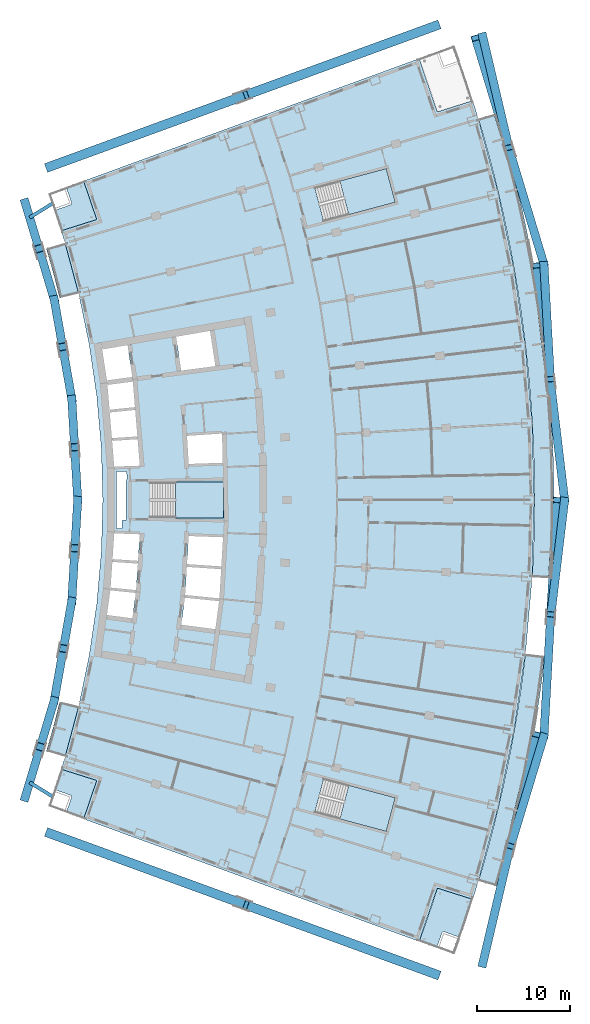
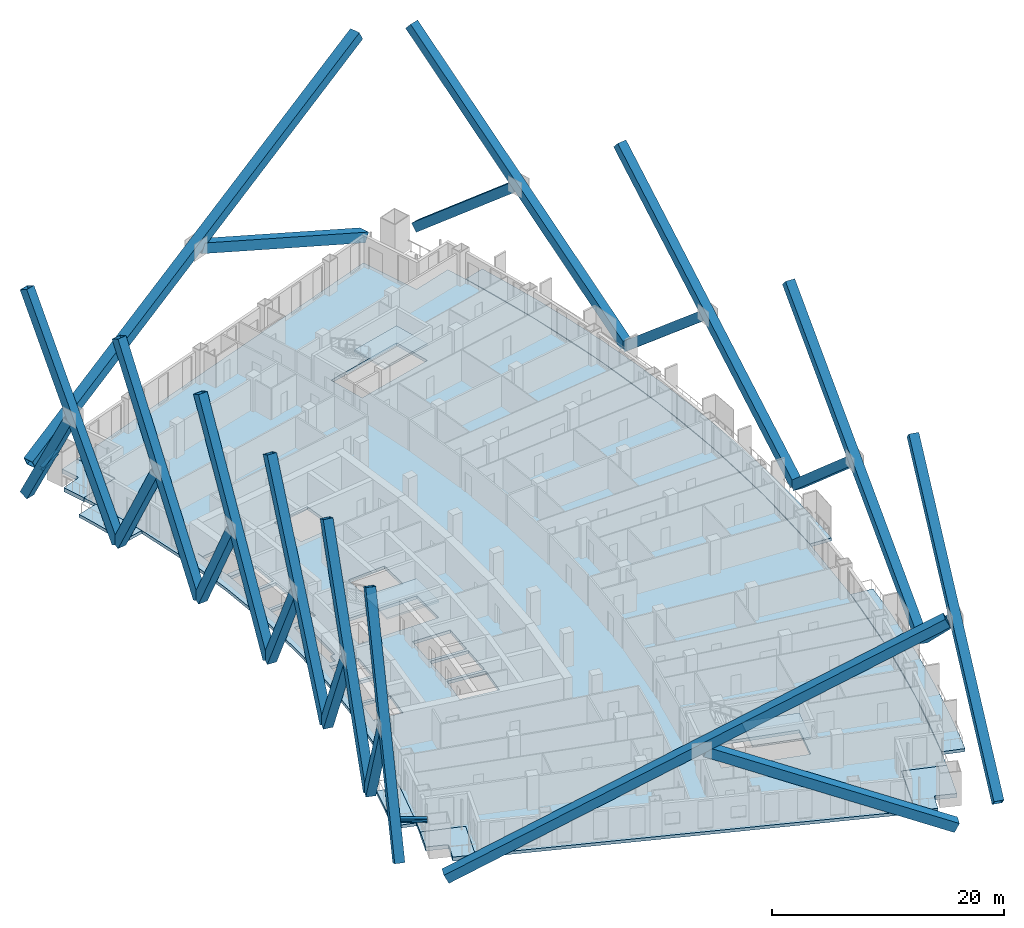
# One storey, part 12 of 26: 26 members, 11 slabs, 3 elements without a shape of their own.
"""IFC4 building model written with IfcOpenShell, lengths in metres."""

from ifc_helpers import new_model, si_unit, direction, frame, origin, origin_2d, place, context, subcontext, project, spatial, polyline, hollow_rectangle, i_section, outline, extrude, material, layer, layer_set, material_profile, profile_set, type_object, element, aggregate, save


model = new_model("IFC4")

# Units and contexts
model_context = context("Model", 3, precision=1e-05, world=origin(), true_north=direction((0.0, 1.0)))
body_context = subcontext(model_context, "Body", "Model", "MODEL_VIEW")
ifc_project = project(units=[si_unit("LENGTHUNIT", "METRE"), si_unit("AREAUNIT", "SQUARE_METRE"), si_unit("VOLUMEUNIT", "CUBIC_METRE"), si_unit("PLANEANGLEUNIT", "RADIAN"), si_unit("MASSUNIT", "GRAM", prefix="KILO")], contexts=[model_context])

# Site, building, storey
site_placement = place(None, origin())
site = spatial("IfcSite", under=ifc_project, at=site_placement, CompositionType="ELEMENT")
building_placement = place(site_placement, origin())
building = spatial("IfcBuilding", under=site, at=building_placement, Name="Alderwake Tower", CompositionType="ELEMENT")
storey_placement = place(building_placement, frame((0.0, 0.0, 82.39990234375)))
storey = spatial("IfcBuildingStorey", under=building, at=storey_placement, Name="L19", CompositionType="ELEMENT", Elevation=82.39990234375)

# Members
ifc_material_1 = material(Name="Steel ASTM A992 Grade 50", Category="steel")
ifc_material_profile_1 = material_profile(ifc_material_1, i_section(OverallWidth=0.3740234375, OverallDepth=0.372314453125, WebThickness=0.016357421875, FlangeThickness=0.026123046875, at=origin_2d()), Name="W14X132")
ifc_profile_set_1 = profile_set([ifc_material_profile_1], Name="Steel ASTM A992 Grade 50")
member_type_1 = type_object("IfcMemberType", Name="Brace node stub W14X132", PredefinedType="MEMBER", material=ifc_profile_set_1)
for number, where, z_axis, x_axis, name in (
    (1, (10.557861328125, 29.140625, 3.393798828125), (-0.849591221683, 0.527441708665, 0.0), (-0.527441708665, -0.849591221683, 0.0), "Brace node stub BS.RR01-C0.860"),
    (2, (10.557861328125, 92.859375, 3.393798828125), (-0.849591221683, -0.527441708665, 0.0), (0.527441708665, -0.849591221683, 0.0), "Brace node stub BS.RR13-C0.860"),
):
    element("IfcMember", number, at=place(storey_placement, frame(where, z_axis=z_axis, x_axis=x_axis)), inside=storey, type_object=member_type_1, Name=name, PredefinedType="MEMBER", context=body_context, shape_type="SweptSolid", body=[
        extrude(i_section(OverallWidth=0.3740234375, OverallDepth=0.372314453125, WebThickness=0.016357421875, FlangeThickness=0.026123046875, at=origin_2d()), origin(), (0.0, 0.0, 1.0), 2.851806640625),
    ])
ifc_material_2 = material(Name="Steel ASTM A572 Grade 50", Category="steel")
ifc_material_profile_2 = material_profile(ifc_material_2, hollow_rectangle(XDim=1.0, YDim=1.0, WallThickness=0.06005859375, at=origin_2d()), Name="BOX 1000X1000X60")
ifc_profile_set_2 = profile_set([ifc_material_profile_2], Name="Steel ASTM A572 Grade 50")
member_type_2 = type_object("IfcMemberType", Name="Mega brace end Z2", PredefinedType="BRACE", material=ifc_profile_set_2)
member_1_placement = place(storey_placement, frame((10.099365234375, 25.23681640625, 0.0), z_axis=(0.842495979734, -0.307532428945, 0.442294392095), x_axis=(0.342895239071, 0.939373650377, 0.0)))
element("IfcMember", 3, at=member_1_placement, inside=storey, type_object=member_type_2, Name="Brace BRS2.1.0A", PredefinedType="BRACE", context=body_context, shape_type="SweptSolid", body=[
    extrude(hollow_rectangle(XDim=1.0, YDim=1.0, WallThickness=0.06005859375, at=origin_2d()), origin(), (0.0, 0.0, 1.0), 48.83642578125),
])
member_2_placement = place(storey_placement, frame((51.995361328125, 9.943603515625, 0.0), z_axis=(-0.845437838665, 0.308616922181, 0.435878946839), x_axis=(-0.342905671201, -0.939369842319, 0.0)))
element("IfcMember", 4, at=member_2_placement, inside=storey, type_object=member_type_2, Name="Brace BRS2.1.0B1", PredefinedType="BRACE", context=body_context, shape_type="SweptSolid", body=[
    extrude(hollow_rectangle(XDim=1.0, YDim=1.0, WallThickness=0.06005859375, at=origin_2d()), origin(), (0.0, 0.0, 1.0), 24.36767578125),
])
member_3_placement = place(storey_placement, frame((10.099365234375, 96.76318359375, 0.0), z_axis=(0.842495979734, 0.307532428945, 0.442294392095), x_axis=(-0.342895239071, 0.939373650377, 0.0)))
element("IfcMember", 5, at=member_3_placement, inside=storey, type_object=member_type_2, Name="Brace BRN2.1.0A", PredefinedType="BRACE", context=body_context, shape_type="SweptSolid", body=[
    extrude(hollow_rectangle(XDim=1.0, YDim=1.0, WallThickness=0.06005859375, at=origin_2d()), origin(), (0.0, 0.0, 1.0), 48.83642578125),
])
member_4_placement = place(storey_placement, frame((51.995361328125, 112.056396484375, 0.0), z_axis=(-0.845437838665, -0.308616922181, 0.435878946839), x_axis=(0.342905671201, -0.939369842319, 0.0)))
element("IfcMember", 6, at=member_4_placement, inside=storey, type_object=member_type_2, Name="Brace BRN2.1.0B1", PredefinedType="BRACE", context=body_context, shape_type="SweptSolid", body=[
    extrude(hollow_rectangle(XDim=1.0, YDim=1.0, WallThickness=0.06005859375, at=origin_2d()), origin(), (0.0, 0.0, 1.0), 24.36767578125),
])
ifc_material_3 = material(Name="Steel ASTM A572 Grade 50", Category="steel")
ifc_material_profile_3 = material_profile(ifc_material_3, hollow_rectangle(XDim=0.89990234375, YDim=0.89990234375, WallThickness=0.054931640625, at=origin_2d()), Name="BOX 900X900X55")
ifc_profile_set_3 = profile_set([ifc_material_profile_3], Name="Steel ASTM A572 Grade 50")
member_type_3 = type_object("IfcMemberType", Name="Mega brace face Z2", PredefinedType="BRACE", material=ifc_profile_set_3)
member_5_placement = place(storey_placement, frame((56.815185546875, 11.05859375, 0.0), z_axis=(0.174401863413, 0.741528282335, 0.647857852106), x_axis=(-0.973439225742, 0.228945569485, 0.0)))
element("IfcMember", 7, at=member_5_placement, inside=storey, type_object=member_type_3, Name="Brace BRF2.1.1A", PredefinedType="BRACE", context=body_context, shape_type="SweptSolid", body=[
    extrude(hollow_rectangle(XDim=0.89990234375, YDim=0.89990234375, WallThickness=0.054931640625, at=origin_2d()), origin(), (0.0, 0.0, 1.0), 33.3408203125),
])
member_6_placement = place(storey_placement, frame((63.420654296875, 35.64208984375, 0.0), z_axis=(-0.22074779073, -0.729077476743, 0.647855266084), x_axis=(0.957091701447, -0.289785222229, 0.0)))
element("IfcMember", 8, at=member_6_placement, inside=storey, type_object=member_type_3, Name="Brace BRF2.1.1B1", PredefinedType="BRACE", context=body_context, shape_type="SweptSolid", body=[
    extrude(hollow_rectangle(XDim=0.89990234375, YDim=0.89990234375, WallThickness=0.054931640625, at=origin_2d()), origin(), (0.0, 0.0, 1.0), 16.255615234375),
])
member_7_placement = place(storey_placement, frame((63.420654296875, 35.64208984375, 0.0), z_axis=(0.042632066905, 0.760567203912, 0.647858036305), x_axis=(-0.998432723329, 0.055965140809, 0.0)))
element("IfcMember", 9, at=member_7_placement, inside=storey, type_object=member_type_3, Name="Brace BRF2.1.4A", PredefinedType="BRACE", context=body_context, shape_type="SweptSolid", body=[
    extrude(hollow_rectangle(XDim=0.89990234375, YDim=0.89990234375, WallThickness=0.054931640625, at=origin_2d()), origin(), (0.0, 0.0, 1.0), 33.3408203125),
])
member_8_placement = place(storey_placement, frame((65.64501953125, 61.0, 0.0), z_axis=(-0.090429493686, -0.756372650971, 0.647860262352), x_axis=(0.99292880201, -0.118711390101, 0.0)))
element("IfcMember", 10, at=member_8_placement, inside=storey, type_object=member_type_3, Name="Brace BRF2.1.4B1", PredefinedType="BRACE", context=body_context, shape_type="SweptSolid", body=[
    extrude(hollow_rectangle(XDim=0.89990234375, YDim=0.89990234375, WallThickness=0.054931640625, at=origin_2d()), origin(), (0.0, 0.0, 1.0), 16.25537109375),
])
member_9_placement = place(storey_placement, frame((65.64501953125, 61.0, 0.0), z_axis=(-0.090433557705, 0.756376025065, 0.647855755819), x_axis=(-0.992928235569, -0.118716127842, 0.0)))
element("IfcMember", 11, at=member_9_placement, inside=storey, type_object=member_type_3, Name="Brace BRF2.1.7A", PredefinedType="BRACE", context=body_context, shape_type="SweptSolid", body=[
    extrude(hollow_rectangle(XDim=0.89990234375, YDim=0.89990234375, WallThickness=0.054931640625, at=origin_2d()), origin(), (0.0, 0.0, 1.0), 33.3408203125),
])
member_10_placement = place(storey_placement, frame((63.420654296875, 86.35791015625, 0.0), z_axis=(0.042639049323, -0.76056409218, 0.647861229863), x_axis=(0.998432198308, 0.055974506536, 0.0)))
element("IfcMember", 12, at=member_10_placement, inside=storey, type_object=member_type_3, Name="Brace BRF2.1.7B1", PredefinedType="BRACE", context=body_context, shape_type="SweptSolid", body=[
    extrude(hollow_rectangle(XDim=0.89990234375, YDim=0.89990234375, WallThickness=0.054931640625, at=origin_2d()), origin(), (0.0, 0.0, 1.0), 16.25537109375),
])
member_11_placement = place(storey_placement, frame((63.420654296875, 86.35791015625, 0.0), z_axis=(-0.22074577078, 0.729077602782, 0.647855812511), x_axis=(-0.957092450783, -0.289782747337, 0.0)))
element("IfcMember", 13, at=member_11_placement, inside=storey, type_object=member_type_3, Name="Brace BRF2.1.10A", PredefinedType="BRACE", context=body_context, shape_type="SweptSolid", body=[
    extrude(hollow_rectangle(XDim=0.89990234375, YDim=0.89990234375, WallThickness=0.054931640625, at=origin_2d()), origin(), (0.0, 0.0, 1.0), 33.3408203125),
])
member_12_placement = place(storey_placement, frame((56.815185546875, 110.94140625, 0.0), z_axis=(0.174399848544, -0.741529772835, 0.647856688494), x_axis=(0.973439917776, 0.228942627048, 0.0)))
element("IfcMember", 14, at=member_12_placement, inside=storey, type_object=member_type_3, Name="Brace BRF2.1.10B1", PredefinedType="BRACE", context=body_context, shape_type="SweptSolid", body=[
    extrude(hollow_rectangle(XDim=0.89990234375, YDim=0.89990234375, WallThickness=0.054931640625, at=origin_2d()), origin(), (0.0, 0.0, 1.0), 16.255615234375),
])
member_13_placement = place(storey_placement, frame((7.6435546875, 29.007568359375, 0.0), z_axis=(0.129343546132, 0.430822122987, 0.893119558301), x_axis=(-0.957766969321, 0.287545531138, 0.0)))
element("IfcMember", 15, at=member_13_placement, inside=storey, type_object=member_type_3, Name="Brace BRR2.1.1A", PredefinedType="BRACE", context=body_context, shape_type="SweptSolid", body=[
    extrude(hollow_rectangle(XDim=0.89990234375, YDim=0.89990234375, WallThickness=0.054931640625, at=origin_2d()), origin(), (0.0, 0.0, 1.0), 24.18505859375),
])
member_14_placement = place(storey_placement, frame((10.771728515625, 39.427001953125, 0.0), z_axis=(-0.129340279084, -0.430823637978, 0.893119300635), x_axis=(0.957769248011, -0.287537941087, 0.0)))
element("IfcMember", 16, at=member_14_placement, inside=storey, type_object=member_type_3, Name="Brace BRR2.1.1B1", PredefinedType="BRACE", context=body_context, shape_type="SweptSolid", body=[
    extrude(hollow_rectangle(XDim=0.89990234375, YDim=0.89990234375, WallThickness=0.054931640625, at=origin_2d()), origin(), (0.0, 0.0, 1.0), 11.527587890625),
])
member_15_placement = place(storey_placement, frame((10.771728515625, 39.427001953125, 0.0), z_axis=(0.078314901955, 0.442946581964, 0.893120989373), x_axis=(-0.984727251906, 0.174104104931, 0.0)))
element("IfcMember", 17, at=member_15_placement, inside=storey, type_object=member_type_3, Name="Brace BRR2.1.3A", PredefinedType="BRACE", context=body_context, shape_type="SweptSolid", body=[
    extrude(hollow_rectangle(XDim=0.89990234375, YDim=0.89990234375, WallThickness=0.054931640625, at=origin_2d()), origin(), (0.0, 0.0, 1.0), 24.18505859375),
])
member_16_placement = place(storey_placement, frame((12.665771484375, 50.1396484375, 0.0), z_axis=(-0.078320401502, -0.442940204709, 0.893123669914), x_axis=(0.9847247259, -0.174118391335, 0.0)))
element("IfcMember", 18, at=member_16_placement, inside=storey, type_object=member_type_3, Name="Brace BRR2.1.3B1", PredefinedType="BRACE", context=body_context, shape_type="SweptSolid", body=[
    extrude(hollow_rectangle(XDim=0.89990234375, YDim=0.89990234375, WallThickness=0.054931640625, at=origin_2d()), origin(), (0.0, 0.0, 1.0), 11.52734375),
])
member_17_placement = place(storey_placement, frame((12.665771484375, 50.1396484375, 0.0), z_axis=(0.026226073785, 0.449053374223, 0.893119958434), x_axis=(-0.998298894059, 0.058303671585, 0.0)))
element("IfcMember", 19, at=member_17_placement, inside=storey, type_object=member_type_3, Name="Brace BRR2.1.5A", PredefinedType="BRACE", context=body_context, shape_type="SweptSolid", body=[
    extrude(hollow_rectangle(XDim=0.89990234375, YDim=0.89990234375, WallThickness=0.054931640625, at=origin_2d()), origin(), (0.0, 0.0, 1.0), 24.18505859375),
])
member_18_placement = place(storey_placement, frame((13.300048828125, 61.0, 0.0), z_axis=(-0.026219583809, -0.449058025452, 0.893117810371), x_axis=(0.998299768862, -0.058288690933, 0.0)))
element("IfcMember", 20, at=member_18_placement, inside=storey, type_object=member_type_3, Name="Brace BRR2.1.5B1", PredefinedType="BRACE", context=body_context, shape_type="SweptSolid", body=[
    extrude(hollow_rectangle(XDim=0.89990234375, YDim=0.89990234375, WallThickness=0.054931640625, at=origin_2d()), origin(), (0.0, 0.0, 1.0), 11.527587890625),
])
member_19_placement = place(storey_placement, frame((13.300048828125, 61.0, 0.0), z_axis=(-0.026226073785, 0.449053374223, 0.893119958434), x_axis=(-0.998298894059, -0.058303671585, 0.0)))
element("IfcMember", 21, at=member_19_placement, inside=storey, type_object=member_type_3, Name="Brace BRR2.1.7A", PredefinedType="BRACE", context=body_context, shape_type="SweptSolid", body=[
    extrude(hollow_rectangle(XDim=0.89990234375, YDim=0.89990234375, WallThickness=0.054931640625, at=origin_2d()), origin(), (0.0, 0.0, 1.0), 24.18505859375),
])
member_20_placement = place(storey_placement, frame((12.665771484375, 71.8603515625, 0.0), z_axis=(0.026219583809, -0.449058025452, 0.893117810371), x_axis=(0.998299768862, 0.058288690933, 0.0)))
element("IfcMember", 22, at=member_20_placement, inside=storey, type_object=member_type_3, Name="Brace BRR2.1.7B1", PredefinedType="BRACE", context=body_context, shape_type="SweptSolid", body=[
    extrude(hollow_rectangle(XDim=0.89990234375, YDim=0.89990234375, WallThickness=0.054931640625, at=origin_2d()), origin(), (0.0, 0.0, 1.0), 11.527587890625),
])
member_21_placement = place(storey_placement, frame((12.665771484375, 71.8603515625, 0.0), z_axis=(-0.078314901955, 0.442946581964, 0.893120989373), x_axis=(-0.984727251906, -0.174104104931, 0.0)))
element("IfcMember", 23, at=member_21_placement, inside=storey, type_object=member_type_3, Name="Brace BRR2.1.9A", PredefinedType="BRACE", context=body_context, shape_type="SweptSolid", body=[
    extrude(hollow_rectangle(XDim=0.89990234375, YDim=0.89990234375, WallThickness=0.054931640625, at=origin_2d()), origin(), (0.0, 0.0, 1.0), 24.18505859375),
])
member_22_placement = place(storey_placement, frame((10.771728515625, 82.572998046875, 0.0), z_axis=(0.078319666764, -0.442957228334, 0.893115291362), x_axis=(0.984726153271, 0.174110318661, 0.0)))
element("IfcMember", 24, at=member_22_placement, inside=storey, type_object=member_type_3, Name="Brace BRR2.1.9B1", PredefinedType="BRACE", context=body_context, shape_type="SweptSolid", body=[
    extrude(hollow_rectangle(XDim=0.89990234375, YDim=0.89990234375, WallThickness=0.054931640625, at=origin_2d()), origin(), (0.0, 0.0, 1.0), 11.527587890625),
])
member_23_placement = place(storey_placement, frame((10.771728515625, 82.572998046875, 0.0), z_axis=(-0.129343546132, 0.430822122987, 0.893119558301), x_axis=(-0.957766969321, -0.287545531138, 0.0)))
element("IfcMember", 25, at=member_23_placement, inside=storey, type_object=member_type_3, Name="Brace BRR2.1.11A", PredefinedType="BRACE", context=body_context, shape_type="SweptSolid", body=[
    extrude(hollow_rectangle(XDim=0.89990234375, YDim=0.89990234375, WallThickness=0.054931640625, at=origin_2d()), origin(), (0.0, 0.0, 1.0), 24.18505859375),
])
member_24_placement = place(storey_placement, frame((7.6435546875, 92.992431640625, 0.0), z_axis=(0.129340279084, -0.430823637978, 0.893119300635), x_axis=(0.957769248011, 0.287537941087, 0.0)))
element("IfcMember", 26, at=member_24_placement, inside=storey, type_object=member_type_3, Name="Brace BRR2.1.11B1", PredefinedType="BRACE", context=body_context, shape_type="SweptSolid", body=[
    extrude(hollow_rectangle(XDim=0.89990234375, YDim=0.89990234375, WallThickness=0.054931640625, at=origin_2d()), origin(), (0.0, 0.0, 1.0), 11.527587890625),
])

# Slabs
ifc_material_4 = material(Name="Concrete C50/60", Category="concrete")
ifc_layer_1 = layer(ifc_material_4, 0.320068359375)
ifc_layer_set_1 = layer_set([ifc_layer_1], Name="Balcony slab 320")
slab_type_1 = type_object("IfcSlabType", Name="Balcony slab 320", PredefinedType="FLOOR", material=ifc_layer_set_1)
slab_1_placement = place(storey_placement, frame((0.0, 0.0, -0.31982421875)))
element("IfcSlab", 27, at=slab_1_placement, inside=storey, type_object=slab_type_1, Name="Balcony BF02", PredefinedType="FLOOR", context=body_context, shape_type="SweptSolid", body=[
    extrude(outline(polyline([(59.550048828125, 23.5029296875), (60.08203125, 25.5419921875), (60.584228515625, 27.58837890625), (61.056396484375, 29.64208984375), (61.498779296875, 31.702392578125), (61.910888671875, 33.76904296875), (62.29296875, 35.84130859375), (62.644775390625, 37.919189453125), (62.96630859375, 40.001708984375), (63.257080078125, 42.0888671875), (63.517578125, 44.179931640625), (61.431884765625, 44.42431640625), (61.17529296875, 42.363525390625), (60.888427734375, 40.306884765625), (60.57177734375, 38.25439453125), (60.22509765625, 36.20703125), (59.8486328125, 34.164794921875), (59.4423828125, 32.128173828125), (59.006591796875, 30.097900390625), (58.541015625, 28.073974609375), (58.046142578125, 26.05712890625), (57.52197265625, 24.0478515625), (56.968505859375, 22.04638671875), (56.385986328125, 20.052978515625), (58.397216796875, 19.44921875), (58.98828125, 21.4716796875), (59.550048828125, 23.5029296875)])), origin(), (0.0, 0.0, 1.0), 0.31982421875),
])
slab_2_placement = place(storey_placement, frame((0.0, 0.0, -0.31982421875)))
element("IfcSlab", 28, at=slab_2_placement, inside=storey, type_object=slab_type_1, Name="Balcony BF06", PredefinedType="FLOOR", context=body_context, shape_type="SweptSolid", body=[
    extrude(outline(polyline([(64.36181640625, 54.68017578125), (64.4384765625, 56.785888671875), (64.484619140625, 58.892822265625), (64.5, 61.0), (64.484619140625, 63.107177734375), (64.4384765625, 65.214111328125), (64.36181640625, 67.31982421875), (64.254150390625, 69.42431640625), (64.115966796875, 71.527099609375), (63.947265625, 73.627685546875), (63.747802734375, 75.725341796875), (63.517578125, 77.820068359375), (63.257080078125, 79.9111328125), (62.96630859375, 81.998291015625), (62.644775390625, 84.080810546875), (62.29296875, 86.15869140625), (61.910888671875, 88.23095703125), (61.498779296875, 90.297607421875), (61.056396484375, 92.35791015625), (60.584228515625, 94.41162109375), (60.08203125, 96.4580078125), (59.550048828125, 98.4970703125), (58.98828125, 100.5283203125), (58.397216796875, 102.55078125), (56.385986328125, 101.947021484375), (56.968505859375, 99.95361328125), (57.52197265625, 97.9521484375), (58.046142578125, 95.94287109375), (58.541015625, 93.926025390625), (59.006591796875, 91.902099609375), (59.4423828125, 89.871826171875), (59.8486328125, 87.835205078125), (60.22509765625, 85.79296875), (60.57177734375, 83.74560546875), (60.888427734375, 81.693115234375), (61.17529296875, 79.636474609375), (61.431884765625, 77.57568359375), (61.65869140625, 75.511474609375), (61.855224609375, 73.444091796875), (62.021484375, 71.3740234375), (62.15771484375, 69.302001953125), (62.263671875, 67.22802734375), (62.33935546875, 65.152587890625), (62.385009765625, 63.07666015625), (62.39990234375, 61.0), (62.385009765625, 58.92333984375), (62.33935546875, 56.847412109375), (62.263671875, 54.77197265625), (62.15771484375, 52.697998046875), (64.254150390625, 52.57568359375), (64.36181640625, 54.68017578125)])), origin(), (0.0, 0.0, 1.0), 0.31982421875),
])
slab_3_placement = place(storey_placement, frame((0.0, 0.0, -0.31982421875)))
element("IfcSlab", 29, at=slab_3_placement, inside=storey, type_object=slab_type_1, Name="Balcony BR02", PredefinedType="FLOOR", context=body_context, shape_type="SweptSolid", body=[
    extrude(outline(polyline([(9.93408203125, 33.999267578125), (11.945556640625, 33.395263671875), (13.3984375, 38.802734375), (11.35546875, 39.288330078125), (11.029052734375, 37.95849609375), (10.683349609375, 36.63330078125), (10.318359375, 35.3134765625), (9.93408203125, 33.999267578125)])), origin(), (0.0, 0.0, 1.0), 0.31982421875),
])
slab_4_placement = place(storey_placement, frame((0.0, 0.0, -0.31982421875)))
element("IfcSlab", 30, at=slab_4_placement, inside=storey, type_object=slab_type_1, Name="Balcony BR11", PredefinedType="FLOOR", context=body_context, shape_type="SweptSolid", body=[
    extrude(outline(polyline([(11.35546875, 82.711669921875), (13.3984375, 83.197265625), (11.945556640625, 88.604736328125), (9.93408203125, 88.000732421875), (10.318359375, 86.6865234375), (10.683349609375, 85.36669921875), (11.029052734375, 84.04150390625), (11.35546875, 82.711669921875)])), origin(), (0.0, 0.0, 1.0), 0.31982421875),
])
ifc_material_5 = material(Name="Concrete C50/60", Category="concrete")
ifc_layer_2 = layer(ifc_material_5, 0.320068359375)
ifc_layer_set_2 = layer_set([ifc_layer_2], Name="Concrete C50/60 post-tensioned flat plate 320")
slab_type_2 = type_object("IfcSlabType", Name="Concrete C50/60 post-tensioned flat plate 320", PredefinedType="FLOOR", material=ifc_layer_set_2)
slab_5_placement = place(storey_placement, frame((0.0, 0.0, -0.31982421875)))
element("IfcSlab", 31, at=slab_5_placement, inside=storey, type_object=slab_type_2, Name="Floor slab L19", PredefinedType="FLOOR", context=body_context, shape_type="SweptSolid", body=[
    extrude(outline(polyline([(11.533203125, 32.057373046875), (11.945556640625, 33.395263671875), (13.3984375, 38.802734375), (14.53369140625, 44.28564453125), (15.347412109375, 49.825439453125), (15.836669921875, 55.4033203125), (16.0, 61.0), (15.836669921875, 66.5966796875), (15.347412109375, 72.174560546875), (14.53369140625, 77.71435546875), (13.3984375, 83.197265625), (11.945556640625, 88.604736328125), (11.533203125, 89.942626953125), (15.34716796875, 91.1484375), (13.937255859375, 95.289794921875), (50.00927734375, 108.45703125), (51.96044921875, 102.7255859375), (55.774169921875, 103.931396484375), (56.385986328125, 101.947021484375), (58.541015625, 93.926025390625), (60.22509765625, 85.79296875), (61.431884765625, 77.57568359375), (62.15771484375, 69.302001953125), (62.39990234375, 61.0), (62.15771484375, 52.697998046875), (61.431884765625, 44.42431640625), (60.22509765625, 36.20703125), (58.541015625, 28.073974609375), (56.385986328125, 20.052978515625), (55.774169921875, 18.068603515625), (51.96044921875, 19.2744140625), (50.00927734375, 13.54296875), (13.937255859375, 26.710205078125), (15.34716796875, 30.8515625), (11.533203125, 32.057373046875)]), holes=[polyline([(16.84375, 51.279541015625), (16.8583984375, 51.4287109375), (16.873291015625, 51.577880859375), (19.574951171875, 51.31103515625), (19.76611328125, 54.161376953125), (17.0537109375, 54.34326171875), (17.06396484375, 54.492919921875), (17.073974609375, 54.642578125), (19.7861328125, 54.460693359375), (19.977294921875, 57.31103515625), (17.263916015625, 57.406982421875), (17.269287109375, 57.556884765625), (17.2392578125, 57.55810546875), (17.033935546875, 54.494873046875), (16.82861328125, 51.431640625), (16.82861328125, 51.431640625), (16.41015625, 48.39013671875), (16.43994140625, 48.38623046875), (16.472412109375, 48.63427734375), (19.18017578125, 48.280029296875), (19.545166015625, 51.012451171875), (16.84375, 51.279541015625)]), polyline([(29.0, 62.875), (21.050048828125, 62.875), (21.050048828125, 59.125), (29.0, 59.125), (29.0, 62.875)]), polyline([(19.738525390625, 67.5361328125), (17.02587890625, 67.354248046875), (17.015869140625, 67.50390625), (17.005859375, 67.653564453125), (19.7138671875, 67.835205078125), (19.47802734375, 70.679443359375), (16.777099609375, 70.41259765625), (16.76220703125, 70.561767578125), (16.74755859375, 70.7109375), (19.453125, 70.978515625), (19.2255859375, 73.725830078125), (16.541015625, 73.374755859375), (16.508544921875, 73.62255859375), (16.47607421875, 73.87060546875), (19.16796875, 74.22265625), (18.656982421875, 77.6376953125), (18.90283203125, 77.674560546875), (18.900146484375, 77.690673828125), (15.96826171875, 77.183837890625), (15.836669921875, 77.94482421875), (15.58544921875, 77.900390625), (15.586181640625, 77.896484375), (15.8154296875, 77.931884765625), (16.478515625, 73.61865234375), (16.47900390625, 73.61376953125), (16.732421875, 70.558837890625), (16.98583984375, 67.501953125), (17.239501953125, 64.4443359375), (17.239501953125, 64.44189453125), (17.269287109375, 64.443115234375), (17.263916015625, 64.593017578125), (19.974609375, 64.68896484375), (19.738525390625, 67.5361328125)]), polyline([(47.436279296875, 28.996826171875), (39.754150390625, 31.043212890625), (38.7890625, 27.41943359375), (46.47119140625, 25.373291015625), (47.436279296875, 28.996826171875)]), polyline([(24.82470703125, 50.49072265625), (24.8291015625, 50.534423828125), (24.825439453125, 50.534912109375), (24.43212890625, 47.59326171875), (28.095703125, 47.114013671875), (28.497802734375, 50.127685546875), (24.82470703125, 50.49072265625)]), polyline([(25.031005859375, 53.808349609375), (24.84521484375, 50.735595703125), (24.848876953125, 50.7353515625), (24.854248046875, 50.789306640625), (28.5341796875, 50.42578125), (28.719970703125, 53.56103515625), (25.031005859375, 53.808349609375)]), polyline([(28.92333984375, 56.994384765625), (25.2314453125, 57.125), (25.049072265625, 54.10791015625), (28.737548828125, 53.860595703125), (28.92333984375, 56.994384765625)]), polyline([(28.819091796875, 68.091552734375), (28.815673828125, 68.144775390625), (25.05126953125, 67.892333984375), (25.232177734375, 64.875), (28.887451171875, 65.00439453125), (28.819091796875, 68.091552734375)]), polyline([(28.09619140625, 75.390380859375), (27.523193359375, 79.181396484375), (23.877685546875, 78.551025390625), (24.427001953125, 74.915283203125), (24.368896484375, 74.90673828125), (24.36962890625, 74.90283203125), (28.09619140625, 75.390380859375)]), polyline([(46.47119140625, 96.626708984375), (38.7890625, 94.58056640625), (39.754150390625, 90.956787109375), (47.436279296875, 93.003173828125), (46.47119140625, 96.626708984375)]), polyline([(17.489501953125, 64.050537109375), (17.4892578125, 57.949462890625), (18.065673828125, 57.928955078125), (18.090576171875, 58.84326171875), (18.544189453125, 58.8310546875), (18.529296875, 58.8681640625), (18.5234375, 58.89208984375), (18.5185546875, 58.94091796875), (18.5185546875, 63.060302734375), (18.5234375, 63.109130859375), (18.53759765625, 63.156005859375), (18.560791015625, 63.19921875), (18.588623046875, 63.233642578125), (18.565185546875, 64.088623046875), (17.489501953125, 64.050537109375)])]), origin(), (0.0, 0.0, 1.0), 0.31982421875),
])

# Stair, slab
ifc_material_6 = material(Name="Concrete C40/50", Category="concrete")
stair_type = type_object("IfcStairType", Name="Core exit stair", PredefinedType="HALF_TURN_STAIR", material=ifc_material_6)
stair_1_placement = place(storey_placement, origin())
stair_1 = element("IfcStair", 32, at=stair_1_placement, inside=storey, type_object=stair_type, Name="L19 Exit Stair B", PredefinedType="HALF_TURN_STAIR")
ifc_material_7 = material(Name="Concrete C40/50", Category="concrete")
ifc_layer_3 = layer(ifc_material_7, 0.199951171875)
ifc_layer_set_3 = layer_set([ifc_layer_3], Name="Core stair landing 200")
slab_type_3 = type_object("IfcSlabType", Name="Core stair landing 200", PredefinedType="LANDING", material=ifc_layer_set_3)
slab_6_placement = place(storey_placement, frame((0.0, 0.0, 1.60009765625)))
slab_6 = element("IfcSlab", 33, at=slab_6_placement, type_object=slab_type_3, Name="ST-B landing 1", PredefinedType="LANDING", context=body_context, shape_type="SweptSolid", body=[
    extrude(outline(polyline([(23.830078125, 59.074951171875), (29.0, 59.074951171875), (29.0, 62.925048828125), (23.830078125, 62.925048828125), (23.830078125, 59.074951171875)])), origin(), (0.0, 0.0, 1.0), 0.199951171875),
])
aggregate(stair_1, [slab_6])

stair_2_placement = place(storey_placement, origin())
stair_2 = element("IfcStair", 34, at=stair_2_placement, inside=storey, type_object=stair_type, Name="L19 Exit Stair A", PredefinedType="HALF_TURN_STAIR")
slab_7_placement = place(storey_placement, frame((0.0, 0.0, 1.60009765625)))
slab_7 = element("IfcSlab", 35, at=slab_7_placement, type_object=slab_type_3, Name="ST-A landing 1", PredefinedType="LANDING", context=body_context, shape_type="SweptSolid", body=[
    extrude(outline(polyline([(42.440673828125, 91.67236328125), (47.436279296875, 93.003173828125), (46.47119140625, 96.626708984375), (41.475341796875, 95.296142578125), (42.440673828125, 91.67236328125)])), origin(), (0.0, 0.0, 1.0), 0.199951171875),
])
aggregate(stair_2, [slab_7])

stair_3_placement = place(storey_placement, origin())
stair_3 = element("IfcStair", 36, at=stair_3_placement, inside=storey, type_object=stair_type, Name="L19 Exit Stair C", PredefinedType="HALF_TURN_STAIR")
slab_8_placement = place(storey_placement, frame((0.0, 0.0, 1.60009765625)))
slab_8 = element("IfcSlab", 37, at=slab_8_placement, type_object=slab_type_3, Name="ST-C landing 1", PredefinedType="LANDING", context=body_context, shape_type="SweptSolid", body=[
    extrude(outline(polyline([(41.475341796875, 26.703857421875), (46.47119140625, 25.373291015625), (47.436279296875, 28.996826171875), (42.4404296875, 30.32763671875), (41.475341796875, 26.703857421875)])), origin(), (0.0, 0.0, 1.0), 0.199951171875),
])
aggregate(stair_3, [slab_8])

# Slabs
ifc_material_8 = material(Name="Concrete C50/60", Category="concrete")
ifc_layer_4 = layer(ifc_material_8, 0.419921875)
ifc_layer_set_4 = layer_set([ifc_layer_4], Name="Terrace slab 420")
slab_type_4 = type_object("IfcSlabType", Name="Terrace slab 420", PredefinedType="FLOOR", material=ifc_layer_set_4)
slab_9_placement = place(storey_placement, frame((0.0, 0.0, -0.419921875)))
element("IfcSlab", 38, at=slab_9_placement, inside=storey, type_object=slab_type_4, Name="Corner terrace FS", PredefinedType="FLOOR", context=body_context, shape_type="SweptSolid", body=[
    extrude(outline(polyline([(54.464599609375, 14.127197265625), (54.406494140625, 13.964599609375), (52.6689453125, 14.586181640625), (52.65478515625, 14.590576171875), (52.640380859375, 14.593505859375), (52.625732421875, 14.5947265625), (52.611083984375, 14.5947265625), (52.596435546875, 14.593505859375), (52.58203125, 14.590576171875), (52.56787109375, 14.586181640625), (52.55419921875, 14.58056640625), (52.541259765625, 14.573486328125), (52.529052734375, 14.5654296875), (52.517578125, 14.55615234375), (52.50732421875, 14.545654296875), (52.498046875, 14.5341796875), (52.48974609375, 14.522216796875), (52.48291015625, 14.509033203125), (52.477294921875, 14.49560546875), (51.904296875, 12.89501953125), (51.900146484375, 12.880859375), (51.897216796875, 12.866455078125), (51.89599609375, 12.854248046875), (50.00927734375, 13.54296875), (50.6875, 15.44384765625), (51.337890625, 17.3544921875), (51.96044921875, 19.2744140625), (55.774169921875, 18.068603515625), (55.1337890625, 16.093017578125), (54.464599609375, 14.127197265625)])), origin(), (0.0, 0.0, 1.0), 0.419921875),
])
slab_10_placement = place(storey_placement, frame((0.0, 0.0, -0.419921875)))
element("IfcSlab", 39, at=slab_10_placement, inside=storey, type_object=slab_type_4, Name="Corner terrace RS", PredefinedType="FLOOR", context=body_context, shape_type="SweptSolid", body=[
    extrude(outline(polyline([(13.937255859375, 26.710205078125), (12.04931640625, 27.3994140625), (12.0537109375, 27.40380859375), (12.06298828125, 27.4150390625), (12.071044921875, 27.427490234375), (12.077880859375, 27.4404296875), (12.08349609375, 27.4541015625), (12.651611328125, 29.056396484375), (12.65576171875, 29.0703125), (12.65869140625, 29.084716796875), (12.66015625, 29.099609375), (12.659912109375, 29.1142578125), (12.658447265625, 29.12890625), (12.655517578125, 29.143310546875), (12.6513671875, 29.157470703125), (12.6455078125, 29.1708984375), (12.638671875, 29.183837890625), (12.63037109375, 29.196044921875), (12.62109375, 29.20751953125), (12.610595703125, 29.218017578125), (12.59912109375, 29.227294921875), (12.5869140625, 29.2353515625), (12.573974609375, 29.2421875), (12.560302734375, 29.247802734375), (10.8095703125, 29.868408203125), (11.101318359375, 30.7255859375), (11.533203125, 32.057373046875), (15.34716796875, 30.8515625), (13.937255859375, 26.710205078125)])), origin(), (0.0, 0.0, 1.0), 0.419921875),
])
slab_11_placement = place(storey_placement, frame((0.0, 0.0, -0.419921875)))
element("IfcSlab", 40, at=slab_11_placement, inside=storey, type_object=slab_type_4, Name="Corner terrace RN", PredefinedType="FLOOR", context=body_context, shape_type="SweptSolid", body=[
    extrude(outline(polyline([(10.8095703125, 92.131591796875), (12.560302734375, 92.752197265625), (12.573974609375, 92.7578125), (12.5869140625, 92.7646484375), (12.59912109375, 92.772705078125), (12.610595703125, 92.781982421875), (12.62109375, 92.79248046875), (12.63037109375, 92.803955078125), (12.638671875, 92.816162109375), (12.6455078125, 92.8291015625), (12.6513671875, 92.842529296875), (12.655517578125, 92.856689453125), (12.658447265625, 92.87109375), (12.659912109375, 92.8857421875), (12.66015625, 92.900390625), (12.65869140625, 92.915283203125), (12.65576171875, 92.9296875), (12.651611328125, 92.943603515625), (12.08349609375, 94.5458984375), (12.077880859375, 94.5595703125), (12.071044921875, 94.572509765625), (12.06298828125, 94.5849609375), (12.0537109375, 94.59619140625), (12.04931640625, 94.6005859375), (13.937255859375, 95.289794921875), (15.34716796875, 91.1484375), (11.533203125, 89.942626953125), (11.101318359375, 91.2744140625), (10.8095703125, 92.131591796875)])), origin(), (0.0, 0.0, 1.0), 0.419921875),
])

save(model, "model.ifc")
